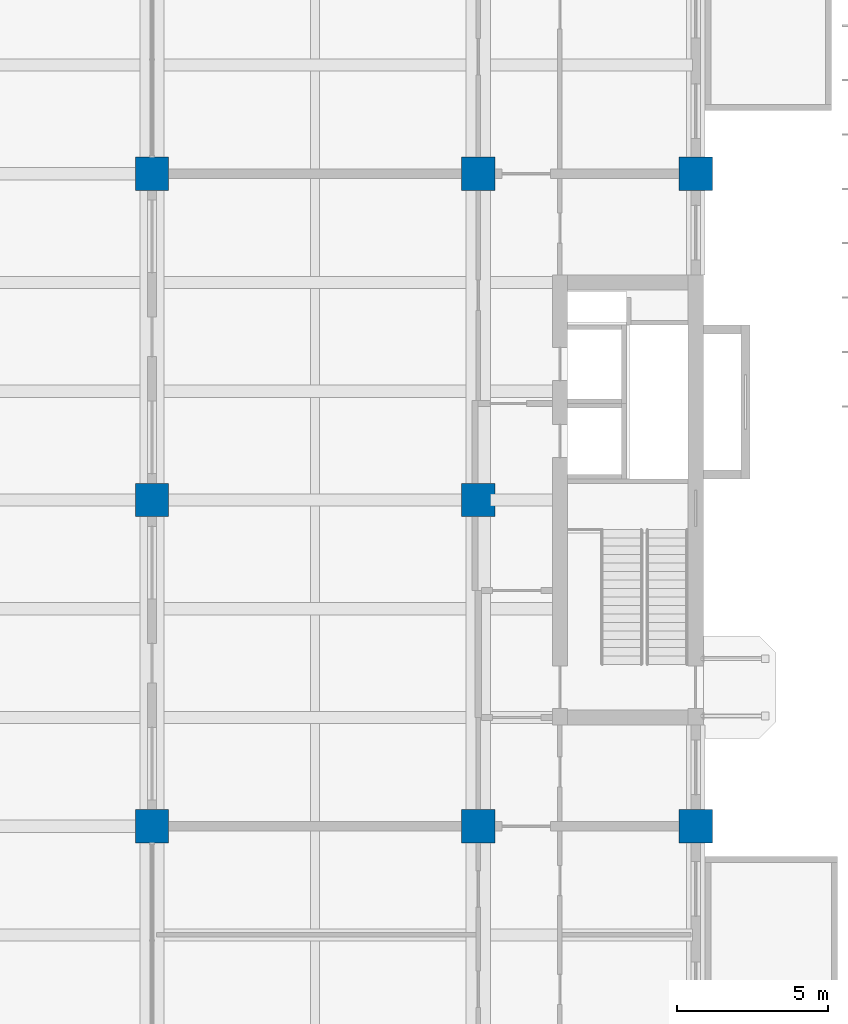
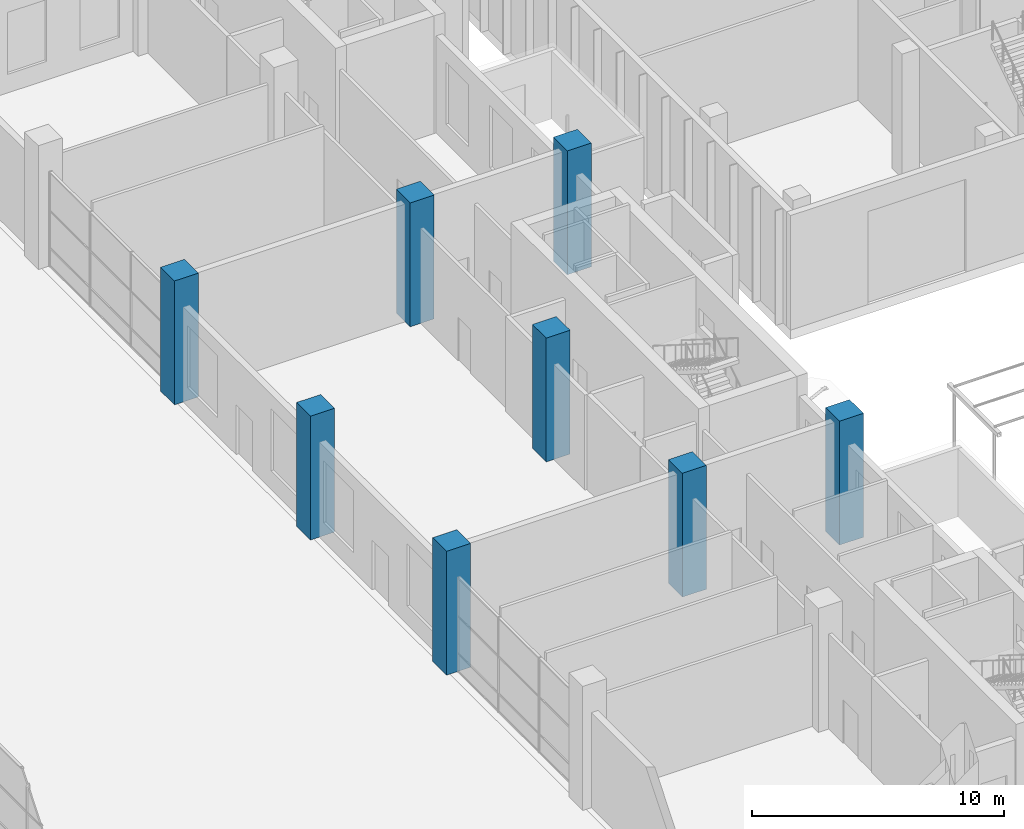
# One storey, part 5 of 71: 8 columns.
"""IFC4 building model written with IfcOpenShell, lengths in metres."""

from ifc_helpers import new_model, si_unit, direction, frame, origin, origin_2d, place, context, subcontext, project, spatial, rectangle, extrude, material, material_profile, profile_set, type_object, element, save


model = new_model("IFC4")

# Units and contexts
model_context = context("Model", 3, precision=1e-05, world=origin(), true_north=direction((0.0, 1.0)))
body_context = subcontext(model_context, "Body", "Model", "MODEL_VIEW")
ifc_project = project(units=[si_unit("LENGTHUNIT", "METRE"), si_unit("AREAUNIT", "SQUARE_METRE"), si_unit("VOLUMEUNIT", "CUBIC_METRE"), si_unit("PLANEANGLEUNIT", "RADIAN"), si_unit("MASSUNIT", "GRAM", prefix="KILO")], contexts=[model_context])

# Site, building, storey
site_placement = place(None, origin())
site = spatial("IfcSite", under=ifc_project, at=site_placement, CompositionType="ELEMENT")
building_placement = place(site_placement, origin())
building = spatial("IfcBuilding", under=site, at=building_placement, Name="Basin Gate Institute", CompositionType="ELEMENT")
storey_placement = place(building_placement, origin())
storey = spatial("IfcBuildingStorey", under=building, at=storey_placement, Name="L00", CompositionType="ELEMENT", Elevation=0.0)

# Columns
ifc_material = material(Name="Concrete 60 MPa", Category="concrete")
ifc_material_profile = material_profile(ifc_material, rectangle(XDim=1.10009765625, YDim=1.10009765625, at=origin_2d()), Name="Column C1 1100 x 1100")
ifc_profile_set = profile_set([ifc_material_profile], Name="Concrete 60 MPa")
column_type = type_object("IfcColumnType", Name="Column C1 R180", PredefinedType="COLUMN", material=ifc_profile_set)
for number, where, z_axis, x_axis, name in (
    (1, (118.800048828125, 56.699951171875, 0.0), (0.0, 0.0, 1.0), (1.0, 0.0, 0.0), "COL/L00/9C"),
    (2, (118.800048828125, 78.300048828125, 0.0), (0.0, 0.0, 1.0), (1.0, 0.0, 0.0), "COL/L00/9E"),
    (3, (111.60009765625, 56.699951171875, 0.0), (0.0, 0.0, 1.0), (1.0, 0.0, 0.0), "COL/L00/8C"),
    (4, (111.60009765625, 67.5, 0.0), (0.0, 0.0, 1.0), (1.0, 0.0, 0.0), "COL/L00/8D"),
    (5, (111.60009765625, 78.300048828125, 0.0), (0.0, 0.0, 1.0), (1.0, 0.0, 0.0), "COL/L00/8E"),
    (6, (100.800048828125, 56.699951171875, 0.0), (0.0, 0.0, 1.0), (1.0, 0.0, 0.0), "COL/L00/7C"),
    (7, (100.800048828125, 67.5, 0.0), (0.0, 0.0, 1.0), (1.0, 0.0, 0.0), "COL/L00/7D"),
    (8, (100.800048828125, 78.300048828125, 0.0), (0.0, 0.0, 1.0), (1.0, 0.0, 0.0), "COL/L00/7E"),
):
    element("IfcColumn", number, at=place(storey_placement, frame(where, z_axis=z_axis, x_axis=x_axis)), inside=storey, type_object=column_type, material=ifc_profile_set, Name=name, PredefinedType="COLUMN", context=body_context, shape_type="SweptSolid", body=[
        extrude(rectangle(XDim=1.10009765625, YDim=1.10009765625, at=origin_2d()), origin(), (0.0, 0.0, 1.0), 6.0),
    ])

save(model, "model.ifc")
